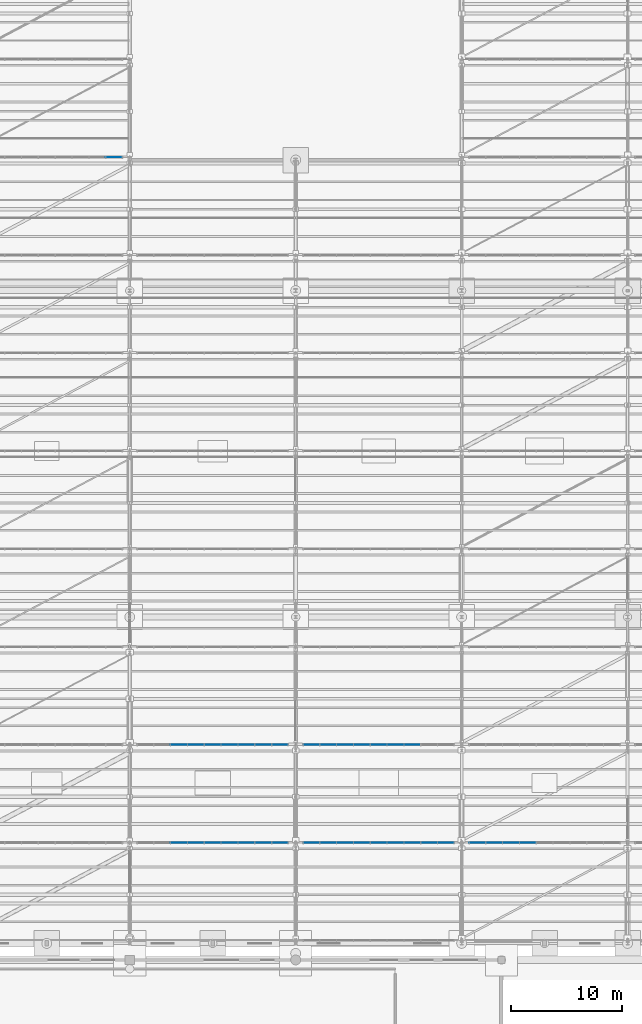
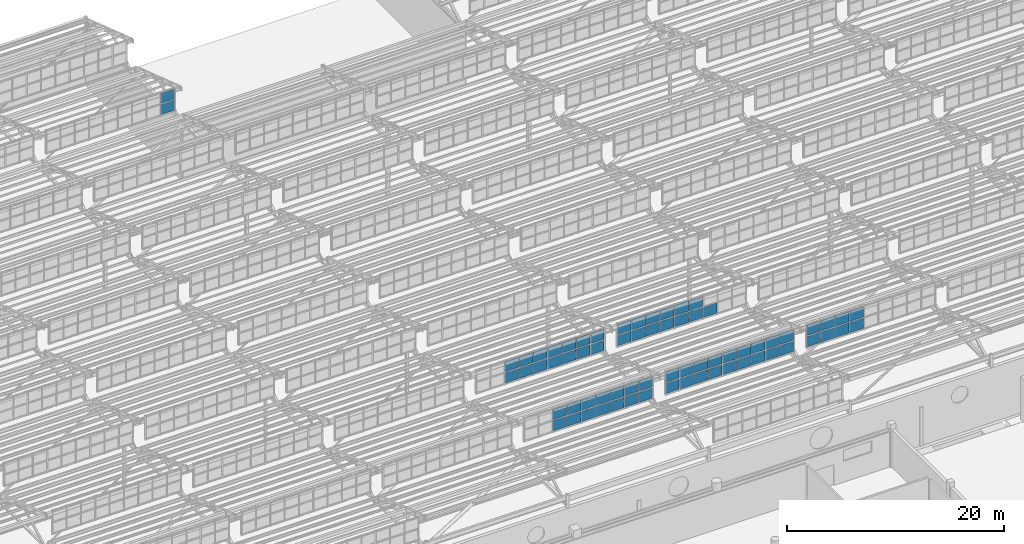
# One storey, part 171 of 285: 69 plates, 6 elements without a shape of their own.
"""IFC4 building model written with IfcOpenShell, lengths in metres."""

from ifc_helpers import new_model, si_unit, direction, frame, origin, origin_2d, place, context, subcontext, project, spatial, rectangle, extrude, material, layer, layer_set, type_object, element, aggregate, save


model = new_model("IFC4")

# Units and contexts
model_context = context("Model", 3, precision=1e-05, world=origin(), true_north=direction((0.0, 1.0)))
body_context = subcontext(model_context, "Body", "Model", "MODEL_VIEW")
ifc_project = project(units=[si_unit("LENGTHUNIT", "METRE"), si_unit("AREAUNIT", "SQUARE_METRE"), si_unit("VOLUMEUNIT", "CUBIC_METRE"), si_unit("PLANEANGLEUNIT", "RADIAN"), si_unit("MASSUNIT", "GRAM", prefix="KILO")], contexts=[model_context])

# Site, building, storey
site_placement = place(None, origin())
site = spatial("IfcSite", under=ifc_project, at=site_placement, CompositionType="ELEMENT")
building_placement = place(site_placement, origin())
building = spatial("IfcBuilding", under=site, at=building_placement, Name="Solanera Park Tramway Depot", CompositionType="ELEMENT")
storey_placement = place(building_placement, origin())
storey = spatial("IfcBuildingStorey", under=building, at=storey_placement, Name="L00", CompositionType="ELEMENT", Elevation=0.0)

# Curtain wall, plates
ifc_material_1 = material(Name="Bronze-anodised thermally broken aluminium curtain wall", Category="aluminium")
curtain_wall_type = type_object("IfcCurtainWallType", Name="Sawtooth Clerestory Monitor Curtain Wall", PredefinedType="NOTDEFINED", material=ifc_material_1)
curtain_wall_1_placement = place(storey_placement, origin())
curtain_wall_1 = element("IfcCurtainWall", 1, at=curtain_wall_1_placement, inside=storey, type_object=curtain_wall_type, Name="L00 Sawtooth Clerestory Monitor Curtain Wall #007", PredefinedType="NOTDEFINED")
ifc_material_2 = material(Name="Low-E laminated solar-control double glazing", Category="glass")
ifc_layer = layer(ifc_material_2, 0.028076171875)
ifc_layer_set = layer_set([ifc_layer], Name="Low-E laminated solar-control double glazing")
plate_type = type_object("IfcPlateType", Name="Curtain Wall Double Glazing Panel 28", PredefinedType="CURTAIN_PANEL", material=ifc_layer_set)
plate_1_placement = place(storey_placement, frame((64.45556640625, 64.60009765625, 7.862060546875), z_axis=(0.0, 0.0, 1.0), x_axis=(1.0, 0.0, 0.0)))
plate_1 = element("IfcPlate", 2, at=plate_1_placement, type_object=plate_type, Name="CW-L00-007 Glazing Panel R1.C3", PredefinedType="CURTAIN_PANEL", context=body_context, shape_type="SweptSolid", body=[
    extrude(rectangle(XDim=1.47021484375, YDim=0.028076171875, at=origin_2d()), origin(), (0.0, 0.0, 1.0), 1.16650390625),
])
plate_2_placement = place(storey_placement, frame((65.977783203125, 64.60009765625, 7.862060546875), z_axis=(0.0, 0.0, 1.0), x_axis=(1.0, 0.0, 0.0)))
plate_2 = element("IfcPlate", 3, at=plate_2_placement, type_object=plate_type, Name="CW-L00-007 Glazing Panel R1.C4", PredefinedType="CURTAIN_PANEL", context=body_context, shape_type="SweptSolid", body=[
    extrude(rectangle(XDim=1.47021484375, YDim=0.028076171875, at=origin_2d()), origin(), (0.0, 0.0, 1.0), 1.16650390625),
])
plate_3_placement = place(storey_placement, frame((67.5, 64.60009765625, 7.862060546875), z_axis=(0.0, 0.0, 1.0), x_axis=(1.0, 0.0, 0.0)))
plate_3 = element("IfcPlate", 4, at=plate_3_placement, type_object=plate_type, Name="CW-L00-007 Glazing Panel R1.C5", PredefinedType="CURTAIN_PANEL", context=body_context, shape_type="SweptSolid", body=[
    extrude(rectangle(XDim=1.47021484375, YDim=0.028076171875, at=origin_2d()), origin(), (0.0, 0.0, 1.0), 1.16650390625),
])
plate_4_placement = place(storey_placement, frame((69.022216796875, 64.60009765625, 7.862060546875), z_axis=(0.0, 0.0, 1.0), x_axis=(1.0, 0.0, 0.0)))
plate_4 = element("IfcPlate", 5, at=plate_4_placement, type_object=plate_type, Name="CW-L00-007 Glazing Panel R1.C6", PredefinedType="CURTAIN_PANEL", context=body_context, shape_type="SweptSolid", body=[
    extrude(rectangle(XDim=1.47021484375, YDim=0.028076171875, at=origin_2d()), origin(), (0.0, 0.0, 1.0), 1.16650390625),
])
plate_5_placement = place(storey_placement, frame((70.54443359375, 64.60009765625, 7.862060546875), z_axis=(0.0, 0.0, 1.0), x_axis=(1.0, 0.0, 0.0)))
plate_5 = element("IfcPlate", 6, at=plate_5_placement, type_object=plate_type, Name="CW-L00-007 Glazing Panel R1.C7", PredefinedType="CURTAIN_PANEL", context=body_context, shape_type="SweptSolid", body=[
    extrude(rectangle(XDim=1.47021484375, YDim=0.028076171875, at=origin_2d()), origin(), (0.0, 0.0, 1.0), 1.16650390625),
])
plate_6_placement = place(storey_placement, frame((72.066650390625, 64.60009765625, 7.862060546875), z_axis=(0.0, 0.0, 1.0), x_axis=(1.0, 0.0, 0.0)))
plate_6 = element("IfcPlate", 7, at=plate_6_placement, type_object=plate_type, Name="CW-L00-007 Glazing Panel R1.C8", PredefinedType="CURTAIN_PANEL", context=body_context, shape_type="SweptSolid", body=[
    extrude(rectangle(XDim=1.47021484375, YDim=0.028076171875, at=origin_2d()), origin(), (0.0, 0.0, 1.0), 1.16650390625),
])
plate_7_placement = place(storey_placement, frame((73.572509765625, 64.60009765625, 7.862060546875), z_axis=(0.0, 0.0, 1.0), x_axis=(1.0, 0.0, 0.0)))
plate_7 = element("IfcPlate", 8, at=plate_7_placement, type_object=plate_type, Name="CW-L00-007 Glazing Panel R1.C9", PredefinedType="CURTAIN_PANEL", context=body_context, shape_type="SweptSolid", body=[
    extrude(rectangle(XDim=1.437744140625, YDim=0.028076171875, at=origin_2d()), origin(), (0.0, 0.0, 1.0), 1.16650390625),
])
plate_8_placement = place(storey_placement, frame((64.45556640625, 64.60009765625, 9.132568359375), z_axis=(0.0, 0.0, 1.0), x_axis=(1.0, 0.0, 0.0)))
plate_8 = element("IfcPlate", 9, at=plate_8_placement, type_object=plate_type, Name="CW-L00-007 Glazing Panel R2.C3", PredefinedType="CURTAIN_PANEL", context=body_context, shape_type="SweptSolid", body=[
    extrude(rectangle(XDim=1.47021484375, YDim=0.028076171875, at=origin_2d()), origin(), (0.0, 0.0, 1.0), 1.16650390625),
])
plate_9_placement = place(storey_placement, frame((65.977783203125, 64.60009765625, 9.132568359375), z_axis=(0.0, 0.0, 1.0), x_axis=(1.0, 0.0, 0.0)))
plate_9 = element("IfcPlate", 10, at=plate_9_placement, type_object=plate_type, Name="CW-L00-007 Glazing Panel R2.C4", PredefinedType="CURTAIN_PANEL", context=body_context, shape_type="SweptSolid", body=[
    extrude(rectangle(XDim=1.47021484375, YDim=0.028076171875, at=origin_2d()), origin(), (0.0, 0.0, 1.0), 1.16650390625),
])
plate_10_placement = place(storey_placement, frame((67.5, 64.60009765625, 9.132568359375), z_axis=(0.0, 0.0, 1.0), x_axis=(1.0, 0.0, 0.0)))
plate_10 = element("IfcPlate", 11, at=plate_10_placement, type_object=plate_type, Name="CW-L00-007 Glazing Panel R2.C5", PredefinedType="CURTAIN_PANEL", context=body_context, shape_type="SweptSolid", body=[
    extrude(rectangle(XDim=1.47021484375, YDim=0.028076171875, at=origin_2d()), origin(), (0.0, 0.0, 1.0), 1.16650390625),
])
plate_11_placement = place(storey_placement, frame((69.022216796875, 64.60009765625, 9.132568359375), z_axis=(0.0, 0.0, 1.0), x_axis=(1.0, 0.0, 0.0)))
plate_11 = element("IfcPlate", 12, at=plate_11_placement, type_object=plate_type, Name="CW-L00-007 Glazing Panel R2.C6", PredefinedType="CURTAIN_PANEL", context=body_context, shape_type="SweptSolid", body=[
    extrude(rectangle(XDim=1.47021484375, YDim=0.028076171875, at=origin_2d()), origin(), (0.0, 0.0, 1.0), 1.16650390625),
])
plate_12_placement = place(storey_placement, frame((70.54443359375, 64.60009765625, 9.132568359375), z_axis=(0.0, 0.0, 1.0), x_axis=(1.0, 0.0, 0.0)))
plate_12 = element("IfcPlate", 13, at=plate_12_placement, type_object=plate_type, Name="CW-L00-007 Glazing Panel R2.C7", PredefinedType="CURTAIN_PANEL", context=body_context, shape_type="SweptSolid", body=[
    extrude(rectangle(XDim=1.47021484375, YDim=0.028076171875, at=origin_2d()), origin(), (0.0, 0.0, 1.0), 1.16650390625),
])
plate_13_placement = place(storey_placement, frame((72.066650390625, 64.60009765625, 9.132568359375), z_axis=(0.0, 0.0, 1.0), x_axis=(1.0, 0.0, 0.0)))
plate_13 = element("IfcPlate", 14, at=plate_13_placement, type_object=plate_type, Name="CW-L00-007 Glazing Panel R2.C8", PredefinedType="CURTAIN_PANEL", context=body_context, shape_type="SweptSolid", body=[
    extrude(rectangle(XDim=1.47021484375, YDim=0.028076171875, at=origin_2d()), origin(), (0.0, 0.0, 1.0), 1.16650390625),
])
plate_14_placement = place(storey_placement, frame((73.572509765625, 64.60009765625, 9.132568359375), z_axis=(0.0, 0.0, 1.0), x_axis=(1.0, 0.0, 0.0)))
plate_14 = element("IfcPlate", 15, at=plate_14_placement, type_object=plate_type, Name="CW-L00-007 Glazing Panel R2.C9", PredefinedType="CURTAIN_PANEL", context=body_context, shape_type="SweptSolid", body=[
    extrude(rectangle(XDim=1.437744140625, YDim=0.028076171875, at=origin_2d()), origin(), (0.0, 0.0, 1.0), 1.16650390625),
])
aggregate(curtain_wall_1, [plate_1, plate_2, plate_3, plate_4, plate_5, plate_6, plate_7, plate_8, plate_9, plate_10, plate_11, plate_12, plate_13, plate_14])

curtain_wall_2_placement = place(storey_placement, origin())
curtain_wall_2 = element("IfcCurtainWall", 16, at=curtain_wall_2_placement, inside=storey, type_object=curtain_wall_type, Name="L00 Sawtooth Clerestory Monitor Curtain Wall #008", PredefinedType="NOTDEFINED")
plate_15_placement = place(storey_placement, frame((76.427490234375, 64.60009765625, 7.862060546875), z_axis=(0.0, 0.0, 1.0), x_axis=(1.0, 0.0, 0.0)))
plate_15 = element("IfcPlate", 17, at=plate_15_placement, type_object=plate_type, Name="CW-L00-008 Glazing Panel R1.C1", PredefinedType="CURTAIN_PANEL", context=body_context, shape_type="SweptSolid", body=[
    extrude(rectangle(XDim=1.437744140625, YDim=0.028076171875, at=origin_2d()), origin(), (0.0, 0.0, 1.0), 1.16650390625),
])
plate_16_placement = place(storey_placement, frame((77.933349609375, 64.60009765625, 7.862060546875), z_axis=(0.0, 0.0, 1.0), x_axis=(1.0, 0.0, 0.0)))
plate_16 = element("IfcPlate", 18, at=plate_16_placement, type_object=plate_type, Name="CW-L00-008 Glazing Panel R1.C2", PredefinedType="CURTAIN_PANEL", context=body_context, shape_type="SweptSolid", body=[
    extrude(rectangle(XDim=1.47021484375, YDim=0.028076171875, at=origin_2d()), origin(), (0.0, 0.0, 1.0), 1.16650390625),
])
plate_17_placement = place(storey_placement, frame((79.45556640625, 64.60009765625, 7.862060546875), z_axis=(0.0, 0.0, 1.0), x_axis=(1.0, 0.0, 0.0)))
plate_17 = element("IfcPlate", 19, at=plate_17_placement, type_object=plate_type, Name="CW-L00-008 Glazing Panel R1.C3", PredefinedType="CURTAIN_PANEL", context=body_context, shape_type="SweptSolid", body=[
    extrude(rectangle(XDim=1.47021484375, YDim=0.028076171875, at=origin_2d()), origin(), (0.0, 0.0, 1.0), 1.16650390625),
])
plate_18_placement = place(storey_placement, frame((80.977783203125, 64.60009765625, 7.862060546875), z_axis=(0.0, 0.0, 1.0), x_axis=(1.0, 0.0, 0.0)))
plate_18 = element("IfcPlate", 20, at=plate_18_placement, type_object=plate_type, Name="CW-L00-008 Glazing Panel R1.C4", PredefinedType="CURTAIN_PANEL", context=body_context, shape_type="SweptSolid", body=[
    extrude(rectangle(XDim=1.47021484375, YDim=0.028076171875, at=origin_2d()), origin(), (0.0, 0.0, 1.0), 1.16650390625),
])
plate_19_placement = place(storey_placement, frame((82.5, 64.60009765625, 7.862060546875), z_axis=(0.0, 0.0, 1.0), x_axis=(1.0, 0.0, 0.0)))
plate_19 = element("IfcPlate", 21, at=plate_19_placement, type_object=plate_type, Name="CW-L00-008 Glazing Panel R1.C5", PredefinedType="CURTAIN_PANEL", context=body_context, shape_type="SweptSolid", body=[
    extrude(rectangle(XDim=1.47021484375, YDim=0.028076171875, at=origin_2d()), origin(), (0.0, 0.0, 1.0), 1.16650390625),
])
plate_20_placement = place(storey_placement, frame((84.022216796875, 64.60009765625, 7.862060546875), z_axis=(0.0, 0.0, 1.0), x_axis=(1.0, 0.0, 0.0)))
plate_20 = element("IfcPlate", 22, at=plate_20_placement, type_object=plate_type, Name="CW-L00-008 Glazing Panel R1.C6", PredefinedType="CURTAIN_PANEL", context=body_context, shape_type="SweptSolid", body=[
    extrude(rectangle(XDim=1.47021484375, YDim=0.028076171875, at=origin_2d()), origin(), (0.0, 0.0, 1.0), 1.16650390625),
])
plate_21_placement = place(storey_placement, frame((85.54443359375, 64.60009765625, 7.862060546875), z_axis=(0.0, 0.0, 1.0), x_axis=(1.0, 0.0, 0.0)))
plate_21 = element("IfcPlate", 23, at=plate_21_placement, type_object=plate_type, Name="CW-L00-008 Glazing Panel R1.C7", PredefinedType="CURTAIN_PANEL", context=body_context, shape_type="SweptSolid", body=[
    extrude(rectangle(XDim=1.47021484375, YDim=0.028076171875, at=origin_2d()), origin(), (0.0, 0.0, 1.0), 1.16650390625),
])
plate_22_placement = place(storey_placement, frame((87.066650390625, 64.60009765625, 7.862060546875), z_axis=(0.0, 0.0, 1.0), x_axis=(1.0, 0.0, 0.0)))
plate_22 = element("IfcPlate", 24, at=plate_22_placement, type_object=plate_type, Name="CW-L00-008 Glazing Panel R1.C8", PredefinedType="CURTAIN_PANEL", context=body_context, shape_type="SweptSolid", body=[
    extrude(rectangle(XDim=1.47021484375, YDim=0.028076171875, at=origin_2d()), origin(), (0.0, 0.0, 1.0), 1.16650390625),
])
plate_23_placement = place(storey_placement, frame((88.572509765625, 64.60009765625, 7.862060546875), z_axis=(0.0, 0.0, 1.0), x_axis=(1.0, 0.0, 0.0)))
plate_23 = element("IfcPlate", 25, at=plate_23_placement, type_object=plate_type, Name="CW-L00-008 Glazing Panel R1.C9", PredefinedType="CURTAIN_PANEL", context=body_context, shape_type="SweptSolid", body=[
    extrude(rectangle(XDim=1.437744140625, YDim=0.028076171875, at=origin_2d()), origin(), (0.0, 0.0, 1.0), 1.16650390625),
])
plate_24_placement = place(storey_placement, frame((76.427490234375, 64.60009765625, 9.132568359375), z_axis=(0.0, 0.0, 1.0), x_axis=(1.0, 0.0, 0.0)))
plate_24 = element("IfcPlate", 26, at=plate_24_placement, type_object=plate_type, Name="CW-L00-008 Glazing Panel R2.C1", PredefinedType="CURTAIN_PANEL", context=body_context, shape_type="SweptSolid", body=[
    extrude(rectangle(XDim=1.437744140625, YDim=0.028076171875, at=origin_2d()), origin(), (0.0, 0.0, 1.0), 1.16650390625),
])
plate_25_placement = place(storey_placement, frame((77.933349609375, 64.60009765625, 9.132568359375), z_axis=(0.0, 0.0, 1.0), x_axis=(1.0, 0.0, 0.0)))
plate_25 = element("IfcPlate", 27, at=plate_25_placement, type_object=plate_type, Name="CW-L00-008 Glazing Panel R2.C2", PredefinedType="CURTAIN_PANEL", context=body_context, shape_type="SweptSolid", body=[
    extrude(rectangle(XDim=1.47021484375, YDim=0.028076171875, at=origin_2d()), origin(), (0.0, 0.0, 1.0), 1.16650390625),
])
plate_26_placement = place(storey_placement, frame((79.45556640625, 64.60009765625, 9.132568359375), z_axis=(0.0, 0.0, 1.0), x_axis=(1.0, 0.0, 0.0)))
plate_26 = element("IfcPlate", 28, at=plate_26_placement, type_object=plate_type, Name="CW-L00-008 Glazing Panel R2.C3", PredefinedType="CURTAIN_PANEL", context=body_context, shape_type="SweptSolid", body=[
    extrude(rectangle(XDim=1.47021484375, YDim=0.028076171875, at=origin_2d()), origin(), (0.0, 0.0, 1.0), 1.16650390625),
])
plate_27_placement = place(storey_placement, frame((80.977783203125, 64.60009765625, 9.132568359375), z_axis=(0.0, 0.0, 1.0), x_axis=(1.0, 0.0, 0.0)))
plate_27 = element("IfcPlate", 29, at=plate_27_placement, type_object=plate_type, Name="CW-L00-008 Glazing Panel R2.C4", PredefinedType="CURTAIN_PANEL", context=body_context, shape_type="SweptSolid", body=[
    extrude(rectangle(XDim=1.47021484375, YDim=0.028076171875, at=origin_2d()), origin(), (0.0, 0.0, 1.0), 1.16650390625),
])
plate_28_placement = place(storey_placement, frame((82.5, 64.60009765625, 9.132568359375), z_axis=(0.0, 0.0, 1.0), x_axis=(1.0, 0.0, 0.0)))
plate_28 = element("IfcPlate", 30, at=plate_28_placement, type_object=plate_type, Name="CW-L00-008 Glazing Panel R2.C5", PredefinedType="CURTAIN_PANEL", context=body_context, shape_type="SweptSolid", body=[
    extrude(rectangle(XDim=1.47021484375, YDim=0.028076171875, at=origin_2d()), origin(), (0.0, 0.0, 1.0), 1.16650390625),
])
plate_29_placement = place(storey_placement, frame((84.022216796875, 64.60009765625, 9.132568359375), z_axis=(0.0, 0.0, 1.0), x_axis=(1.0, 0.0, 0.0)))
plate_29 = element("IfcPlate", 31, at=plate_29_placement, type_object=plate_type, Name="CW-L00-008 Glazing Panel R2.C6", PredefinedType="CURTAIN_PANEL", context=body_context, shape_type="SweptSolid", body=[
    extrude(rectangle(XDim=1.47021484375, YDim=0.028076171875, at=origin_2d()), origin(), (0.0, 0.0, 1.0), 1.16650390625),
])
plate_30_placement = place(storey_placement, frame((85.54443359375, 64.60009765625, 9.132568359375), z_axis=(0.0, 0.0, 1.0), x_axis=(1.0, 0.0, 0.0)))
plate_30 = element("IfcPlate", 32, at=plate_30_placement, type_object=plate_type, Name="CW-L00-008 Glazing Panel R2.C7", PredefinedType="CURTAIN_PANEL", context=body_context, shape_type="SweptSolid", body=[
    extrude(rectangle(XDim=1.47021484375, YDim=0.028076171875, at=origin_2d()), origin(), (0.0, 0.0, 1.0), 1.16650390625),
])
plate_31_placement = place(storey_placement, frame((87.066650390625, 64.60009765625, 9.132568359375), z_axis=(0.0, 0.0, 1.0), x_axis=(1.0, 0.0, 0.0)))
plate_31 = element("IfcPlate", 33, at=plate_31_placement, type_object=plate_type, Name="CW-L00-008 Glazing Panel R2.C8", PredefinedType="CURTAIN_PANEL", context=body_context, shape_type="SweptSolid", body=[
    extrude(rectangle(XDim=1.47021484375, YDim=0.028076171875, at=origin_2d()), origin(), (0.0, 0.0, 1.0), 1.16650390625),
])
plate_32_placement = place(storey_placement, frame((88.572509765625, 64.60009765625, 9.132568359375), z_axis=(0.0, 0.0, 1.0), x_axis=(1.0, 0.0, 0.0)))
plate_32 = element("IfcPlate", 34, at=plate_32_placement, type_object=plate_type, Name="CW-L00-008 Glazing Panel R2.C9", PredefinedType="CURTAIN_PANEL", context=body_context, shape_type="SweptSolid", body=[
    extrude(rectangle(XDim=1.437744140625, YDim=0.028076171875, at=origin_2d()), origin(), (0.0, 0.0, 1.0), 1.16650390625),
])
aggregate(curtain_wall_2, [plate_15, plate_16, plate_17, plate_18, plate_19, plate_20, plate_21, plate_22, plate_23, plate_24, plate_25, plate_26, plate_27, plate_28, plate_29, plate_30, plate_31, plate_32])

curtain_wall_3_placement = place(storey_placement, origin())
curtain_wall_3 = element("IfcCurtainWall", 35, at=curtain_wall_3_placement, inside=storey, type_object=curtain_wall_type, Name="L00 Sawtooth Clerestory Monitor Curtain Wall #009", PredefinedType="NOTDEFINED")
plate_33_placement = place(storey_placement, frame((91.427490234375, 64.60009765625, 7.862060546875), z_axis=(0.0, 0.0, 1.0), x_axis=(1.0, 0.0, 0.0)))
plate_33 = element("IfcPlate", 36, at=plate_33_placement, type_object=plate_type, Name="CW-L00-009 Glazing Panel R1.C1", PredefinedType="CURTAIN_PANEL", context=body_context, shape_type="SweptSolid", body=[
    extrude(rectangle(XDim=1.437744140625, YDim=0.028076171875, at=origin_2d()), origin(), (0.0, 0.0, 1.0), 1.16650390625),
])
plate_34_placement = place(storey_placement, frame((92.933349609375, 64.60009765625, 7.862060546875), z_axis=(0.0, 0.0, 1.0), x_axis=(1.0, 0.0, 0.0)))
plate_34 = element("IfcPlate", 37, at=plate_34_placement, type_object=plate_type, Name="CW-L00-009 Glazing Panel R1.C2", PredefinedType="CURTAIN_PANEL", context=body_context, shape_type="SweptSolid", body=[
    extrude(rectangle(XDim=1.47021484375, YDim=0.028076171875, at=origin_2d()), origin(), (0.0, 0.0, 1.0), 1.16650390625),
])
plate_35_placement = place(storey_placement, frame((94.45556640625, 64.60009765625, 7.862060546875), z_axis=(0.0, 0.0, 1.0), x_axis=(1.0, 0.0, 0.0)))
plate_35 = element("IfcPlate", 38, at=plate_35_placement, type_object=plate_type, Name="CW-L00-009 Glazing Panel R1.C3", PredefinedType="CURTAIN_PANEL", context=body_context, shape_type="SweptSolid", body=[
    extrude(rectangle(XDim=1.47021484375, YDim=0.028076171875, at=origin_2d()), origin(), (0.0, 0.0, 1.0), 1.16650390625),
])
plate_36_placement = place(storey_placement, frame((95.977783203125, 64.60009765625, 7.862060546875), z_axis=(0.0, 0.0, 1.0), x_axis=(1.0, 0.0, 0.0)))
plate_36 = element("IfcPlate", 39, at=plate_36_placement, type_object=plate_type, Name="CW-L00-009 Glazing Panel R1.C4", PredefinedType="CURTAIN_PANEL", context=body_context, shape_type="SweptSolid", body=[
    extrude(rectangle(XDim=1.47021484375, YDim=0.028076171875, at=origin_2d()), origin(), (0.0, 0.0, 1.0), 1.16650390625),
])
plate_37_placement = place(storey_placement, frame((91.427490234375, 64.60009765625, 9.132568359375), z_axis=(0.0, 0.0, 1.0), x_axis=(1.0, 0.0, 0.0)))
plate_37 = element("IfcPlate", 40, at=plate_37_placement, type_object=plate_type, Name="CW-L00-009 Glazing Panel R2.C1", PredefinedType="CURTAIN_PANEL", context=body_context, shape_type="SweptSolid", body=[
    extrude(rectangle(XDim=1.437744140625, YDim=0.028076171875, at=origin_2d()), origin(), (0.0, 0.0, 1.0), 1.16650390625),
])
plate_38_placement = place(storey_placement, frame((92.933349609375, 64.60009765625, 9.132568359375), z_axis=(0.0, 0.0, 1.0), x_axis=(1.0, 0.0, 0.0)))
plate_38 = element("IfcPlate", 41, at=plate_38_placement, type_object=plate_type, Name="CW-L00-009 Glazing Panel R2.C2", PredefinedType="CURTAIN_PANEL", context=body_context, shape_type="SweptSolid", body=[
    extrude(rectangle(XDim=1.47021484375, YDim=0.028076171875, at=origin_2d()), origin(), (0.0, 0.0, 1.0), 1.16650390625),
])
plate_39_placement = place(storey_placement, frame((94.45556640625, 64.60009765625, 9.132568359375), z_axis=(0.0, 0.0, 1.0), x_axis=(1.0, 0.0, 0.0)))
plate_39 = element("IfcPlate", 42, at=plate_39_placement, type_object=plate_type, Name="CW-L00-009 Glazing Panel R2.C3", PredefinedType="CURTAIN_PANEL", context=body_context, shape_type="SweptSolid", body=[
    extrude(rectangle(XDim=1.47021484375, YDim=0.028076171875, at=origin_2d()), origin(), (0.0, 0.0, 1.0), 1.16650390625),
])
plate_40_placement = place(storey_placement, frame((95.977783203125, 64.60009765625, 9.132568359375), z_axis=(0.0, 0.0, 1.0), x_axis=(1.0, 0.0, 0.0)))
plate_40 = element("IfcPlate", 43, at=plate_40_placement, type_object=plate_type, Name="CW-L00-009 Glazing Panel R2.C4", PredefinedType="CURTAIN_PANEL", context=body_context, shape_type="SweptSolid", body=[
    extrude(rectangle(XDim=1.47021484375, YDim=0.028076171875, at=origin_2d()), origin(), (0.0, 0.0, 1.0), 1.16650390625),
])
aggregate(curtain_wall_3, [plate_33, plate_34, plate_35, plate_36, plate_37, plate_38, plate_39, plate_40])

curtain_wall_4_placement = place(storey_placement, origin())
curtain_wall_4 = element("IfcCurtainWall", 44, at=curtain_wall_4_placement, inside=storey, type_object=curtain_wall_type, Name="L00 Sawtooth Clerestory Monitor Curtain Wall #015", PredefinedType="NOTDEFINED")
plate_41_placement = place(storey_placement, frame((64.45556640625, 73.449951171875, 7.862060546875), z_axis=(0.0, 0.0, 1.0), x_axis=(1.0, 0.0, 0.0)))
plate_41 = element("IfcPlate", 45, at=plate_41_placement, type_object=plate_type, Name="CW-L00-015 Glazing Panel R1.C3", PredefinedType="CURTAIN_PANEL", context=body_context, shape_type="SweptSolid", body=[
    extrude(rectangle(XDim=1.47021484375, YDim=0.028076171875, at=origin_2d()), origin(), (0.0, 0.0, 1.0), 1.16650390625),
])
plate_42_placement = place(storey_placement, frame((65.977783203125, 73.449951171875, 7.862060546875), z_axis=(0.0, 0.0, 1.0), x_axis=(1.0, 0.0, 0.0)))
plate_42 = element("IfcPlate", 46, at=plate_42_placement, type_object=plate_type, Name="CW-L00-015 Glazing Panel R1.C4", PredefinedType="CURTAIN_PANEL", context=body_context, shape_type="SweptSolid", body=[
    extrude(rectangle(XDim=1.47021484375, YDim=0.028076171875, at=origin_2d()), origin(), (0.0, 0.0, 1.0), 1.16650390625),
])
plate_43_placement = place(storey_placement, frame((67.5, 73.449951171875, 7.862060546875), z_axis=(0.0, 0.0, 1.0), x_axis=(1.0, 0.0, 0.0)))
plate_43 = element("IfcPlate", 47, at=plate_43_placement, type_object=plate_type, Name="CW-L00-015 Glazing Panel R1.C5", PredefinedType="CURTAIN_PANEL", context=body_context, shape_type="SweptSolid", body=[
    extrude(rectangle(XDim=1.47021484375, YDim=0.028076171875, at=origin_2d()), origin(), (0.0, 0.0, 1.0), 1.16650390625),
])
plate_44_placement = place(storey_placement, frame((69.022216796875, 73.449951171875, 7.862060546875), z_axis=(0.0, 0.0, 1.0), x_axis=(1.0, 0.0, 0.0)))
plate_44 = element("IfcPlate", 48, at=plate_44_placement, type_object=plate_type, Name="CW-L00-015 Glazing Panel R1.C6", PredefinedType="CURTAIN_PANEL", context=body_context, shape_type="SweptSolid", body=[
    extrude(rectangle(XDim=1.47021484375, YDim=0.028076171875, at=origin_2d()), origin(), (0.0, 0.0, 1.0), 1.16650390625),
])
plate_45_placement = place(storey_placement, frame((70.54443359375, 73.449951171875, 7.862060546875), z_axis=(0.0, 0.0, 1.0), x_axis=(1.0, 0.0, 0.0)))
plate_45 = element("IfcPlate", 49, at=plate_45_placement, type_object=plate_type, Name="CW-L00-015 Glazing Panel R1.C7", PredefinedType="CURTAIN_PANEL", context=body_context, shape_type="SweptSolid", body=[
    extrude(rectangle(XDim=1.47021484375, YDim=0.028076171875, at=origin_2d()), origin(), (0.0, 0.0, 1.0), 1.16650390625),
])
plate_46_placement = place(storey_placement, frame((72.066650390625, 73.449951171875, 7.862060546875), z_axis=(0.0, 0.0, 1.0), x_axis=(1.0, 0.0, 0.0)))
plate_46 = element("IfcPlate", 50, at=plate_46_placement, type_object=plate_type, Name="CW-L00-015 Glazing Panel R1.C8", PredefinedType="CURTAIN_PANEL", context=body_context, shape_type="SweptSolid", body=[
    extrude(rectangle(XDim=1.47021484375, YDim=0.028076171875, at=origin_2d()), origin(), (0.0, 0.0, 1.0), 1.16650390625),
])
plate_47_placement = place(storey_placement, frame((73.572509765625, 73.449951171875, 7.862060546875), z_axis=(0.0, 0.0, 1.0), x_axis=(1.0, 0.0, 0.0)))
plate_47 = element("IfcPlate", 51, at=plate_47_placement, type_object=plate_type, Name="CW-L00-015 Glazing Panel R1.C9", PredefinedType="CURTAIN_PANEL", context=body_context, shape_type="SweptSolid", body=[
    extrude(rectangle(XDim=1.437744140625, YDim=0.028076171875, at=origin_2d()), origin(), (0.0, 0.0, 1.0), 1.16650390625),
])
plate_48_placement = place(storey_placement, frame((64.45556640625, 73.449951171875, 9.132568359375), z_axis=(0.0, 0.0, 1.0), x_axis=(1.0, 0.0, 0.0)))
plate_48 = element("IfcPlate", 52, at=plate_48_placement, type_object=plate_type, Name="CW-L00-015 Glazing Panel R2.C3", PredefinedType="CURTAIN_PANEL", context=body_context, shape_type="SweptSolid", body=[
    extrude(rectangle(XDim=1.47021484375, YDim=0.028076171875, at=origin_2d()), origin(), (0.0, 0.0, 1.0), 1.16650390625),
])
plate_49_placement = place(storey_placement, frame((65.977783203125, 73.449951171875, 9.132568359375), z_axis=(0.0, 0.0, 1.0), x_axis=(1.0, 0.0, 0.0)))
plate_49 = element("IfcPlate", 53, at=plate_49_placement, type_object=plate_type, Name="CW-L00-015 Glazing Panel R2.C4", PredefinedType="CURTAIN_PANEL", context=body_context, shape_type="SweptSolid", body=[
    extrude(rectangle(XDim=1.47021484375, YDim=0.028076171875, at=origin_2d()), origin(), (0.0, 0.0, 1.0), 1.16650390625),
])
plate_50_placement = place(storey_placement, frame((67.5, 73.449951171875, 9.132568359375), z_axis=(0.0, 0.0, 1.0), x_axis=(1.0, 0.0, 0.0)))
plate_50 = element("IfcPlate", 54, at=plate_50_placement, type_object=plate_type, Name="CW-L00-015 Glazing Panel R2.C5", PredefinedType="CURTAIN_PANEL", context=body_context, shape_type="SweptSolid", body=[
    extrude(rectangle(XDim=1.47021484375, YDim=0.028076171875, at=origin_2d()), origin(), (0.0, 0.0, 1.0), 1.16650390625),
])
plate_51_placement = place(storey_placement, frame((69.022216796875, 73.449951171875, 9.132568359375), z_axis=(0.0, 0.0, 1.0), x_axis=(1.0, 0.0, 0.0)))
plate_51 = element("IfcPlate", 55, at=plate_51_placement, type_object=plate_type, Name="CW-L00-015 Glazing Panel R2.C6", PredefinedType="CURTAIN_PANEL", context=body_context, shape_type="SweptSolid", body=[
    extrude(rectangle(XDim=1.47021484375, YDim=0.028076171875, at=origin_2d()), origin(), (0.0, 0.0, 1.0), 1.16650390625),
])
plate_52_placement = place(storey_placement, frame((70.54443359375, 73.449951171875, 9.132568359375), z_axis=(0.0, 0.0, 1.0), x_axis=(1.0, 0.0, 0.0)))
plate_52 = element("IfcPlate", 56, at=plate_52_placement, type_object=plate_type, Name="CW-L00-015 Glazing Panel R2.C7", PredefinedType="CURTAIN_PANEL", context=body_context, shape_type="SweptSolid", body=[
    extrude(rectangle(XDim=1.47021484375, YDim=0.028076171875, at=origin_2d()), origin(), (0.0, 0.0, 1.0), 1.16650390625),
])
plate_53_placement = place(storey_placement, frame((72.066650390625, 73.449951171875, 9.132568359375), z_axis=(0.0, 0.0, 1.0), x_axis=(1.0, 0.0, 0.0)))
plate_53 = element("IfcPlate", 57, at=plate_53_placement, type_object=plate_type, Name="CW-L00-015 Glazing Panel R2.C8", PredefinedType="CURTAIN_PANEL", context=body_context, shape_type="SweptSolid", body=[
    extrude(rectangle(XDim=1.47021484375, YDim=0.028076171875, at=origin_2d()), origin(), (0.0, 0.0, 1.0), 1.16650390625),
])
plate_54_placement = place(storey_placement, frame((73.572509765625, 73.449951171875, 9.132568359375), z_axis=(0.0, 0.0, 1.0), x_axis=(1.0, 0.0, 0.0)))
plate_54 = element("IfcPlate", 58, at=plate_54_placement, type_object=plate_type, Name="CW-L00-015 Glazing Panel R2.C9", PredefinedType="CURTAIN_PANEL", context=body_context, shape_type="SweptSolid", body=[
    extrude(rectangle(XDim=1.437744140625, YDim=0.028076171875, at=origin_2d()), origin(), (0.0, 0.0, 1.0), 1.16650390625),
])
aggregate(curtain_wall_4, [plate_41, plate_42, plate_43, plate_44, plate_45, plate_46, plate_47, plate_48, plate_49, plate_50, plate_51, plate_52, plate_53, plate_54])

curtain_wall_5_placement = place(storey_placement, origin())
curtain_wall_5 = element("IfcCurtainWall", 59, at=curtain_wall_5_placement, inside=storey, type_object=curtain_wall_type, Name="L00 Sawtooth Clerestory Monitor Curtain Wall #016", PredefinedType="NOTDEFINED")
plate_55_placement = place(storey_placement, frame((76.427490234375, 73.449951171875, 7.862060546875), z_axis=(0.0, 0.0, 1.0), x_axis=(1.0, 0.0, 0.0)))
plate_55 = element("IfcPlate", 60, at=plate_55_placement, type_object=plate_type, Name="CW-L00-016 Glazing Panel R1.C1", PredefinedType="CURTAIN_PANEL", context=body_context, shape_type="SweptSolid", body=[
    extrude(rectangle(XDim=1.437744140625, YDim=0.028076171875, at=origin_2d()), origin(), (0.0, 0.0, 1.0), 1.16650390625),
])
plate_56_placement = place(storey_placement, frame((77.933349609375, 73.449951171875, 7.862060546875), z_axis=(0.0, 0.0, 1.0), x_axis=(1.0, 0.0, 0.0)))
plate_56 = element("IfcPlate", 61, at=plate_56_placement, type_object=plate_type, Name="CW-L00-016 Glazing Panel R1.C2", PredefinedType="CURTAIN_PANEL", context=body_context, shape_type="SweptSolid", body=[
    extrude(rectangle(XDim=1.47021484375, YDim=0.028076171875, at=origin_2d()), origin(), (0.0, 0.0, 1.0), 1.16650390625),
])
plate_57_placement = place(storey_placement, frame((79.45556640625, 73.449951171875, 7.862060546875), z_axis=(0.0, 0.0, 1.0), x_axis=(1.0, 0.0, 0.0)))
plate_57 = element("IfcPlate", 62, at=plate_57_placement, type_object=plate_type, Name="CW-L00-016 Glazing Panel R1.C3", PredefinedType="CURTAIN_PANEL", context=body_context, shape_type="SweptSolid", body=[
    extrude(rectangle(XDim=1.47021484375, YDim=0.028076171875, at=origin_2d()), origin(), (0.0, 0.0, 1.0), 1.16650390625),
])
plate_58_placement = place(storey_placement, frame((80.977783203125, 73.449951171875, 7.862060546875), z_axis=(0.0, 0.0, 1.0), x_axis=(1.0, 0.0, 0.0)))
plate_58 = element("IfcPlate", 63, at=plate_58_placement, type_object=plate_type, Name="CW-L00-016 Glazing Panel R1.C4", PredefinedType="CURTAIN_PANEL", context=body_context, shape_type="SweptSolid", body=[
    extrude(rectangle(XDim=1.47021484375, YDim=0.028076171875, at=origin_2d()), origin(), (0.0, 0.0, 1.0), 1.16650390625),
])
plate_59_placement = place(storey_placement, frame((82.5, 73.449951171875, 7.862060546875), z_axis=(0.0, 0.0, 1.0), x_axis=(1.0, 0.0, 0.0)))
plate_59 = element("IfcPlate", 64, at=plate_59_placement, type_object=plate_type, Name="CW-L00-016 Glazing Panel R1.C5", PredefinedType="CURTAIN_PANEL", context=body_context, shape_type="SweptSolid", body=[
    extrude(rectangle(XDim=1.47021484375, YDim=0.028076171875, at=origin_2d()), origin(), (0.0, 0.0, 1.0), 1.16650390625),
])
plate_60_placement = place(storey_placement, frame((84.022216796875, 73.449951171875, 7.862060546875), z_axis=(0.0, 0.0, 1.0), x_axis=(1.0, 0.0, 0.0)))
plate_60 = element("IfcPlate", 65, at=plate_60_placement, type_object=plate_type, Name="CW-L00-016 Glazing Panel R1.C6", PredefinedType="CURTAIN_PANEL", context=body_context, shape_type="SweptSolid", body=[
    extrude(rectangle(XDim=1.47021484375, YDim=0.028076171875, at=origin_2d()), origin(), (0.0, 0.0, 1.0), 1.16650390625),
])
plate_61_placement = place(storey_placement, frame((85.54443359375, 73.449951171875, 7.862060546875), z_axis=(0.0, 0.0, 1.0), x_axis=(1.0, 0.0, 0.0)))
plate_61 = element("IfcPlate", 66, at=plate_61_placement, type_object=plate_type, Name="CW-L00-016 Glazing Panel R1.C7", PredefinedType="CURTAIN_PANEL", context=body_context, shape_type="SweptSolid", body=[
    extrude(rectangle(XDim=1.47021484375, YDim=0.028076171875, at=origin_2d()), origin(), (0.0, 0.0, 1.0), 1.16650390625),
])
plate_62_placement = place(storey_placement, frame((76.427490234375, 73.449951171875, 9.132568359375), z_axis=(0.0, 0.0, 1.0), x_axis=(1.0, 0.0, 0.0)))
plate_62 = element("IfcPlate", 67, at=plate_62_placement, type_object=plate_type, Name="CW-L00-016 Glazing Panel R2.C1", PredefinedType="CURTAIN_PANEL", context=body_context, shape_type="SweptSolid", body=[
    extrude(rectangle(XDim=1.437744140625, YDim=0.028076171875, at=origin_2d()), origin(), (0.0, 0.0, 1.0), 1.16650390625),
])
plate_63_placement = place(storey_placement, frame((77.933349609375, 73.449951171875, 9.132568359375), z_axis=(0.0, 0.0, 1.0), x_axis=(1.0, 0.0, 0.0)))
plate_63 = element("IfcPlate", 68, at=plate_63_placement, type_object=plate_type, Name="CW-L00-016 Glazing Panel R2.C2", PredefinedType="CURTAIN_PANEL", context=body_context, shape_type="SweptSolid", body=[
    extrude(rectangle(XDim=1.47021484375, YDim=0.028076171875, at=origin_2d()), origin(), (0.0, 0.0, 1.0), 1.16650390625),
])
plate_64_placement = place(storey_placement, frame((79.45556640625, 73.449951171875, 9.132568359375), z_axis=(0.0, 0.0, 1.0), x_axis=(1.0, 0.0, 0.0)))
plate_64 = element("IfcPlate", 69, at=plate_64_placement, type_object=plate_type, Name="CW-L00-016 Glazing Panel R2.C3", PredefinedType="CURTAIN_PANEL", context=body_context, shape_type="SweptSolid", body=[
    extrude(rectangle(XDim=1.47021484375, YDim=0.028076171875, at=origin_2d()), origin(), (0.0, 0.0, 1.0), 1.16650390625),
])
plate_65_placement = place(storey_placement, frame((80.977783203125, 73.449951171875, 9.132568359375), z_axis=(0.0, 0.0, 1.0), x_axis=(1.0, 0.0, 0.0)))
plate_65 = element("IfcPlate", 70, at=plate_65_placement, type_object=plate_type, Name="CW-L00-016 Glazing Panel R2.C4", PredefinedType="CURTAIN_PANEL", context=body_context, shape_type="SweptSolid", body=[
    extrude(rectangle(XDim=1.47021484375, YDim=0.028076171875, at=origin_2d()), origin(), (0.0, 0.0, 1.0), 1.16650390625),
])
plate_66_placement = place(storey_placement, frame((82.5, 73.449951171875, 9.132568359375), z_axis=(0.0, 0.0, 1.0), x_axis=(1.0, 0.0, 0.0)))
plate_66 = element("IfcPlate", 71, at=plate_66_placement, type_object=plate_type, Name="CW-L00-016 Glazing Panel R2.C5", PredefinedType="CURTAIN_PANEL", context=body_context, shape_type="SweptSolid", body=[
    extrude(rectangle(XDim=1.47021484375, YDim=0.028076171875, at=origin_2d()), origin(), (0.0, 0.0, 1.0), 1.16650390625),
])
plate_67_placement = place(storey_placement, frame((84.022216796875, 73.449951171875, 9.132568359375), z_axis=(0.0, 0.0, 1.0), x_axis=(1.0, 0.0, 0.0)))
plate_67 = element("IfcPlate", 72, at=plate_67_placement, type_object=plate_type, Name="CW-L00-016 Glazing Panel R2.C6", PredefinedType="CURTAIN_PANEL", context=body_context, shape_type="SweptSolid", body=[
    extrude(rectangle(XDim=1.47021484375, YDim=0.028076171875, at=origin_2d()), origin(), (0.0, 0.0, 1.0), 1.16650390625),
])
aggregate(curtain_wall_5, [plate_55, plate_56, plate_57, plate_58, plate_59, plate_60, plate_61, plate_62, plate_63, plate_64, plate_65, plate_66, plate_67])

curtain_wall_6_placement = place(storey_placement, origin())
curtain_wall_6 = element("IfcCurtainWall", 73, at=curtain_wall_6_placement, inside=storey, type_object=curtain_wall_type, Name="L00 Sawtooth Clerestory Monitor Curtain Wall #062", PredefinedType="NOTDEFINED")
plate_68_placement = place(storey_placement, frame((58.572509765625, 126.550048828125, 7.862060546875), z_axis=(0.0, 0.0, 1.0), x_axis=(1.0, 0.0, 0.0)))
plate_68 = element("IfcPlate", 74, at=plate_68_placement, type_object=plate_type, Name="CW-L00-062 Glazing Panel R1.C9", PredefinedType="CURTAIN_PANEL", context=body_context, shape_type="SweptSolid", body=[
    extrude(rectangle(XDim=1.437744140625, YDim=0.028076171875, at=origin_2d()), origin(), (0.0, 0.0, 1.0), 1.16650390625),
])
plate_69_placement = place(storey_placement, frame((58.572509765625, 126.550048828125, 9.132568359375), z_axis=(0.0, 0.0, 1.0), x_axis=(1.0, 0.0, 0.0)))
plate_69 = element("IfcPlate", 75, at=plate_69_placement, type_object=plate_type, Name="CW-L00-062 Glazing Panel R2.C9", PredefinedType="CURTAIN_PANEL", context=body_context, shape_type="SweptSolid", body=[
    extrude(rectangle(XDim=1.437744140625, YDim=0.028076171875, at=origin_2d()), origin(), (0.0, 0.0, 1.0), 1.16650390625),
])
aggregate(curtain_wall_6, [plate_68, plate_69])

save(model, "model.ifc")
